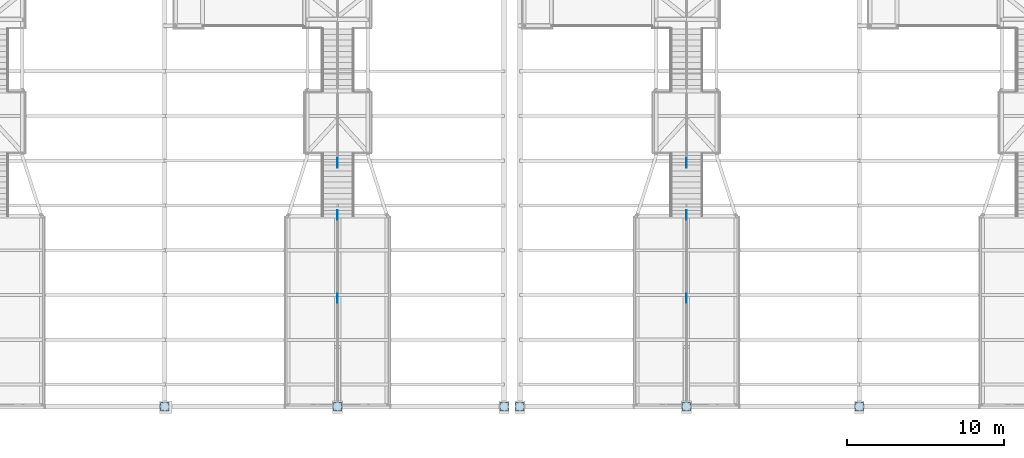
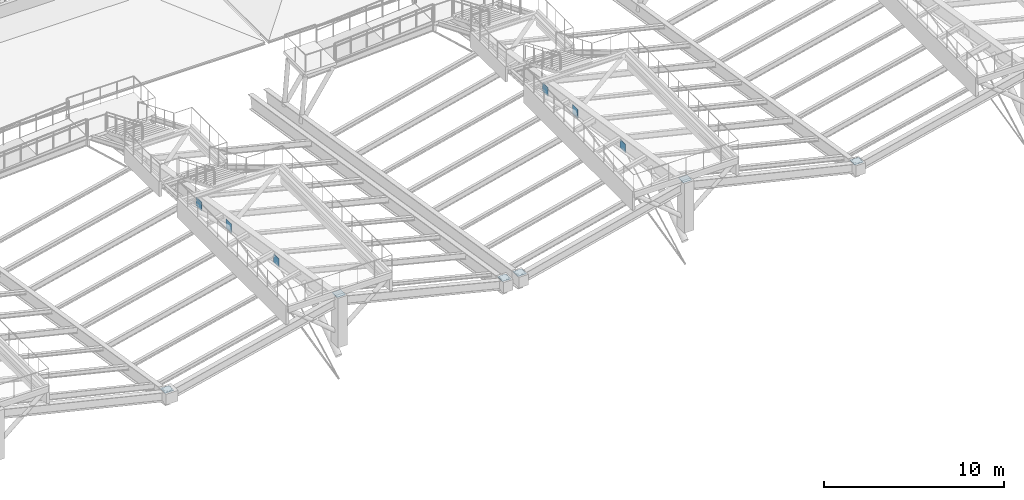
# One storey, part 20 of 43: 12 plates.
"""IFC4 building model written with IfcOpenShell, lengths in metres."""

import ifcopenshell
import ifcopenshell.guid

model = None  # the IFC model being written
_history = None  # IfcOwnerHistory: only IFC2X3 demands one
_inside = {}  # id of a spatial element -> (the spatial element, [elements in it])
_under = {}  # id of a project, library or spatial element -> (it, [spatial elements below it])
_declared = {}  # id of a project -> (the project, [libraries it declares])
_typed = {}  # id of a type object -> (the type object, [elements of that type])
_made_of = {}  # id of a material, layer set ... -> (it, [elements and type objects made of it])


def new_model(schema):
    """Start an empty IFC model of exactly this schema.

    Asked for "IFC4X3", IfcOpenShell would pick the latest addendum, in which some entities
    have other attributes; the version numbers below select the first issue.
    IFC2X3 requires an IfcOwnerHistory on every rooted entity: one is made here for all.
    """
    global model, _history
    if schema == "IFC4X3":
        model = ifcopenshell.file(schema_version=(4, 3, 0, 0))
    else:
        model = ifcopenshell.file(schema=schema)
    _inside.clear()
    _under.clear()
    _declared.clear()
    _typed.clear()
    _made_of.clear()
    _history = None
    if model.schema == "IFC2X3":
        org = make("IfcOrganization", Name="unknown")
        user = make(
            "IfcPersonAndOrganization",
            ThePerson=make("IfcPerson", FamilyName="unknown"),
            TheOrganization=org,
        )
        app = make(
            "IfcApplication",
            ApplicationDeveloper=org,
            Version="unknown",
            ApplicationFullName="unknown",
            ApplicationIdentifier="unknown",
        )
        _history = make(
            "IfcOwnerHistory",
            OwningUser=user,
            OwningApplication=app,
            ChangeAction="ADDED",
            CreationDate=0,
        )
    return model


def make(cls, **values):
    """One entity of the class cls with the attributes given. An attribute that is None is left unset."""
    return model.create_entity(
        cls, **{name: value for name, value in values.items() if value is not None}
    )


def rooted(cls, **values):
    """An entity with a GlobalId (a new one), such as an element, a storey or a relation."""
    return make(cls, GlobalId=ifcopenshell.guid.new(), OwnerHistory=_history, **values)


def si_unit(unit_type, name, prefix=None):
    """IfcSIUnit, for example si_unit("LENGTHUNIT", "METRE", prefix="MILLI")."""
    return make("IfcSIUnit", UnitType=unit_type, Prefix=prefix, Name=name)


def assignment(units):
    """IfcUnitAssignment: the units of a project."""
    return None if units is None else make("IfcUnitAssignment", Units=units)


def point(xyz):
    """IfcCartesianPoint."""
    return None if xyz is None else make("IfcCartesianPoint", Coordinates=xyz)


def direction(xyz):
    """IfcDirection."""
    return None if xyz is None else make("IfcDirection", DirectionRatios=xyz)


def frame(location, z_axis=None, x_axis=None):
    """IfcAxis2Placement3D, a coordinate frame: its origin and axes. An axis left out is left unset."""
    return make(
        "IfcAxis2Placement3D",
        Location=point(location),
        Axis=direction(z_axis),
        RefDirection=direction(x_axis),
    )


def frame_2d(location, x_axis=None):
    """IfcAxis2Placement2D, a coordinate frame in the plane: its origin and x axis."""
    return make(
        "IfcAxis2Placement2D", Location=point(location), RefDirection=direction(x_axis)
    )


def origin():
    """The frame at (0, 0, 0) with its axes left unset."""
    return frame((0.0, 0.0, 0.0))


def origin_2d():
    """The frame at (0, 0) in the plane with its x axis left unset."""
    return frame_2d((0.0, 0.0))


def place(relative_to, where):
    """IfcLocalPlacement: puts the frame where relative to a parent placement (None: the world)."""
    return make(
        "IfcLocalPlacement", PlacementRelTo=relative_to, RelativePlacement=where
    )


def context(
    kind, dimensions, precision=None, world=None, true_north=None, identifier=None
):
    """IfcGeometricRepresentationContext, for example the 3D "Model" context."""
    return make(
        "IfcGeometricRepresentationContext",
        ContextIdentifier=identifier,
        ContextType=kind,
        CoordinateSpaceDimension=dimensions,
        Precision=precision,
        WorldCoordinateSystem=world,
        TrueNorth=true_north,
    )


def subcontext(parent, identifier, kind, view, scale=None):
    """IfcGeometricRepresentationSubContext, for example "Body" below "Model"."""
    return make(
        "IfcGeometricRepresentationSubContext",
        ContextIdentifier=identifier,
        ContextType=kind,
        ParentContext=parent,
        TargetScale=scale,
        TargetView=view,
    )


def project(units=None, contexts=None):
    """IfcProject with its units and contexts."""
    return rooted(
        "IfcProject",
        Name="project",
        RepresentationContexts=contexts,
        UnitsInContext=assignment(units),
    )


def spatial(cls, under=None, at=None, **own):
    """A site, building, storey or space (cls), placed at a placement, below another one or the project."""
    s = rooted(cls, ObjectPlacement=at, **own)
    if under is not None:
        _under.setdefault(under.id(), (under, []))[1].append(s)
    return s


def profile(cls, at=None, kind="AREA", **sizes):
    """A parametric profile (cls). Its sizes go by their IFC names, for example OverallWidth=200.0."""
    return make(cls, ProfileType=kind, Position=at, **sizes)


def rectangle(**sizes):
    """IfcRectangleProfileDef."""
    return profile("IfcRectangleProfileDef", **sizes)


def extrude(swept, where, along, depth):
    """IfcExtrudedAreaSolid: the profile swept, set in the frame where, extruded along a direction by depth."""
    return make(
        "IfcExtrudedAreaSolid",
        SweptArea=swept,
        Position=where,
        ExtrudedDirection=direction(along),
        Depth=depth,
    )


def shape(context_of_items, identifier, shape_type, items):
    """IfcShapeRepresentation: the items that make up one representation, for example the "Body"."""
    return make(
        "IfcShapeRepresentation",
        ContextOfItems=context_of_items,
        RepresentationIdentifier=identifier,
        RepresentationType=shape_type,
        Items=items,
    )


def material(Name=None, Category=None):
    """IfcMaterial."""
    return make("IfcMaterial", Name=Name, Category=Category)


def layer(
    of_material, thickness, ventilated=None, Name=None, Category=None, Priority=None
):
    """IfcMaterialLayer: one layer of a wall or slab, of a material (None: an air gap)."""
    return make(
        "IfcMaterialLayer",
        Material=of_material,
        LayerThickness=thickness,
        IsVentilated=ventilated,
        Name=Name,
        Category=Category,
        Priority=Priority,
    )


def layer_set(layers, Name=None):
    """IfcMaterialLayerSet."""
    return make("IfcMaterialLayerSet", MaterialLayers=layers, LayerSetName=Name)


def made_of(thing, what):
    """Note that an element or type object is made of a material, layer set ...; save() writes the relation."""
    if what is not None:
        _made_of.setdefault(what.id(), (what, []))[1].append(thing)
    return thing


def type_object(cls, material=None, **own):
    """A type object (cls), such as IfcWallType, which elements share."""
    return made_of(rooted(cls, **own), material)


def element(
    cls,
    number,
    at=None,
    inside=None,
    cuts=None,
    type_object=None,
    material=None,
    context=None,
    identifier="Body",
    shape_type=None,
    held_by="IfcProductDefinitionShape",
    body=None,
    shapes=None,
    **own,
):
    """One element of the class cls, such as IfcWall. Its Tag is "e" and its number.

    at: its placement. inside: the storey or other place that contains it. cuts: it is an
    opening in that element (IfcRelVoidsElement). A single representation is given by context,
    identifier, shape_type and body (its items); several are given by shapes. held_by: the class
    of the entity that holds the representations. save() writes the other relations.
    """
    e = rooted(cls, Tag="e%d" % number, ObjectPlacement=at, **own)
    if body is not None:
        shapes = [shape(context, identifier, shape_type, body)]
    if shapes is not None:
        e.Representation = make(held_by, Representations=shapes)
    if inside is not None:
        _inside.setdefault(inside.id(), (inside, []))[1].append(e)
    if cuts is not None:
        rooted(
            "IfcRelVoidsElement", RelatingBuildingElement=cuts, RelatedOpeningElement=e
        )
    if type_object is not None:
        _typed.setdefault(type_object.id(), (type_object, []))[1].append(e)
    return made_of(e, material)


def aggregate(whole, parts):
    """IfcRelAggregates: a whole, such as a stair, and the parts it consists of."""
    return rooted("IfcRelAggregates", RelatingObject=whole, RelatedObjects=parts)


def save(model, path):
    """Write the relations noted so far, then the file.

    IfcRelAggregates (storeys below a building ...), IfcRelContainedInSpatialStructure (elements
    in a storey), IfcRelDefinesByType, IfcRelAssociatesMaterial and IfcRelDeclares: one each for
    every whole, place, type object, material and project.
    """
    for whole, parts in _under.values():
        aggregate(whole, parts)
    for where, things in _inside.values():
        rooted(
            "IfcRelContainedInSpatialStructure",
            RelatedElements=things,
            RelatingStructure=where,
        )
    for kind, things in _typed.values():
        rooted("IfcRelDefinesByType", RelatedObjects=things, RelatingType=kind)
    for what, things in _made_of.values():
        rooted("IfcRelAssociatesMaterial", RelatedObjects=things, RelatingMaterial=what)
    for by, libraries in _declared.values():
        rooted("IfcRelDeclares", RelatingContext=by, RelatedDefinitions=libraries)
    model.write(path)


model = new_model("IFC4")

# Units and contexts
model_context = context("Model", 3, precision=1e-05, world=origin(), true_north=direction((0.0, 1.0)))
body_context = subcontext(model_context, "Body", "Model", "MODEL_VIEW")
ifc_project = project(units=[si_unit("LENGTHUNIT", "METRE"), si_unit("AREAUNIT", "SQUARE_METRE"), si_unit("VOLUMEUNIT", "CUBIC_METRE"), si_unit("PLANEANGLEUNIT", "RADIAN"), si_unit("MASSUNIT", "GRAM", prefix="KILO")], contexts=[model_context])

# Site, building, storey
site_placement = place(None, origin())
site = spatial("IfcSite", under=ifc_project, at=site_placement, CompositionType="ELEMENT")
building_placement = place(site_placement, origin())
building = spatial("IfcBuilding", under=site, at=building_placement, Name="Caurita Quay Ferry Terminal", CompositionType="ELEMENT")
storey_placement = place(building_placement, frame((0.0, 0.0, 14.10009765625)))
storey = spatial("IfcBuildingStorey", under=building, at=storey_placement, Name="L03", CompositionType="ELEMENT", Elevation=14.10009765625)

# Plates
ifc_material = material(Name="Structural plate steel ASTM A572 Gr. 50", Category="steel")
ifc_layer_1 = layer(ifc_material, 0.031982421875, Name="Structural steel connection plate 32 mm")
ifc_layer_set_1 = layer_set([ifc_layer_1], Name="Structural plate steel ASTM A572 Gr. 50")
plate_type_1 = type_object("IfcPlateType", Name="PLT-STL-32", PredefinedType="USERDEFINED", material=ifc_layer_set_1)
for number, where, z_axis, x_axis, name in (
    (1, (66.0, 34.60009765625, 0.65478515625), (0.0, 0.0, 1.0), (1.0, 0.0, 0.0), "Mast Top Cap Plate V1-07-S"),
    (2, (77.0, 34.60009765625, 3.294921875), (0.0, 0.0, 1.0), (1.0, 0.0, 0.0), "Mast Top Cap Plate V1-08-S"),
    (3, (87.60009765625, 34.60009765625, 0.65478515625), (0.0, 0.0, 1.0), (1.0, 0.0, 0.0), "Mast Top Cap Plate V1-09-S"),
    (4, (88.60009765625, 34.60009765625, 0.65478515625), (0.0, 0.0, 1.0), (1.0, 0.0, 0.0), "Mast Top Cap Plate V2-01-S"),
    (5, (99.199951171875, 34.60009765625, 3.294921875), (0.0, 0.0, 1.0), (1.0, 0.0, 0.0), "Mast Top Cap Plate V2-02-S"),
    (6, (110.199951171875, 34.60009765625, 0.65478515625), (0.0, 0.0, 1.0), (1.0, 0.0, 0.0), "Mast Top Cap Plate V2-03-S"),
):
    element("IfcPlate", number, at=place(storey_placement, frame(where, z_axis=z_axis, x_axis=x_axis)), inside=storey, type_object=plate_type_1, Name=name, ObjectType="GUSSET PLATE", PredefinedType="USERDEFINED", context=body_context, shape_type="SweptSolid", body=[
        extrude(rectangle(XDim=0.5400390625, YDim=0.5400390625, at=origin_2d()), origin(), (0.0, 0.0, 1.0), 0.031982421875),
    ])
ifc_layer_2 = layer(ifc_material, 0.0400390625, Name="Structural steel connection plate 40 mm")
ifc_layer_set_2 = layer_set([ifc_layer_2], Name="Structural plate steel ASTM A572 Gr. 50")
plate_type_2 = type_object("IfcPlateType", Name="PLT-STL-40", PredefinedType="USERDEFINED", material=ifc_layer_set_2)
for number, where, z_axis, x_axis, name in (
    (7, (77.0, 41.5, 1.05615234375), (0.0, 0.0, 1.0), (1.0, 0.0, 0.0), "Girder Stay-Cable Anchorage Gusset V1-08-S1"),
    (8, (77.0, 46.800048828125, 0.208251953125), (0.0, 0.0, 1.0), (1.0, 0.0, 0.0), "Girder Stay-Cable Anchorage Gusset V1-08-S2"),
    (9, (77.0, 50.10009765625, -0.31982421875), (0.0, 0.0, 1.0), (1.0, 0.0, 0.0), "Girder Stay-Cable Anchorage Gusset V1-08-N2"),
    (10, (99.199951171875, 41.5, 1.0498046875), (0.0, 0.0, 1.0), (1.0, 0.0, 0.0), "Girder Stay-Cable Anchorage Gusset V2-02-S1"),
    (11, (99.199951171875, 46.800048828125, 0.201904296875), (0.0, 0.0, 1.0), (1.0, 0.0, 0.0), "Girder Stay-Cable Anchorage Gusset V2-02-S2"),
    (12, (99.199951171875, 50.10009765625, -0.326171875), (0.0, 0.0, 1.0), (1.0, 0.0, 0.0), "Girder Stay-Cable Anchorage Gusset V2-02-N2"),
):
    element("IfcPlate", number, at=place(storey_placement, frame(where, z_axis=z_axis, x_axis=x_axis)), inside=storey, type_object=plate_type_2, Name=name, ObjectType="GUSSET PLATE", PredefinedType="USERDEFINED", context=body_context, shape_type="SweptSolid", body=[
        extrude(rectangle(XDim=0.0400390625, YDim=0.60009765625, at=origin_2d()), origin(), (0.0, 0.0, 1.0), 0.60009765625),
    ])

save(model, "model.ifc")
